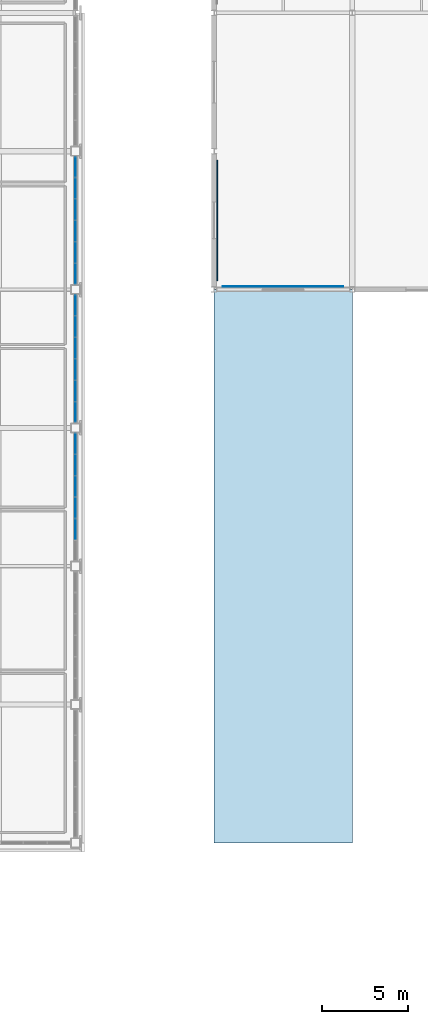
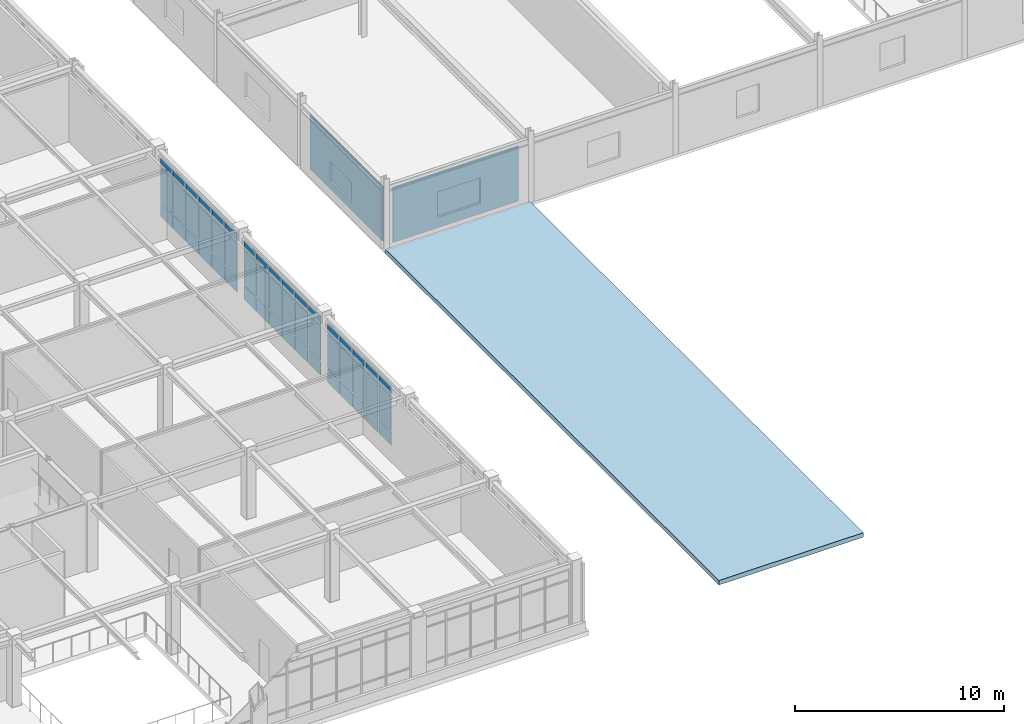
# One storey, part 41 of 88: 53 plates, 1 slab, 3 elements without a shape of their own.
"""IFC4 building model written with IfcOpenShell, lengths in metres."""

from ifc_helpers import new_model, si_unit, direction, frame, origin, origin_2d, place, context, subcontext, project, spatial, polyline, rectangle, outline, extrude, material, layer, layer_set, type_object, element, aggregate, save


model = new_model("IFC4")

# Units and contexts
model_context = context("Model", 3, precision=1e-05, world=origin(), true_north=direction((0.0, 1.0)))
body_context = subcontext(model_context, "Body", "Model", "MODEL_VIEW")
ifc_project = project(units=[si_unit("LENGTHUNIT", "METRE"), si_unit("AREAUNIT", "SQUARE_METRE"), si_unit("VOLUMEUNIT", "CUBIC_METRE"), si_unit("PLANEANGLEUNIT", "RADIAN"), si_unit("MASSUNIT", "GRAM", prefix="KILO")], contexts=[model_context])

# Site, building, storey
site_placement = place(None, origin())
site = spatial("IfcSite", under=ifc_project, at=site_placement, CompositionType="ELEMENT")
building_placement = place(site_placement, origin())
building = spatial("IfcBuilding", under=site, at=building_placement, Name="Zhaolan Boulevard Law Courts", CompositionType="ELEMENT")
storey_placement = place(building_placement, frame((0.0, 0.0, 16.199951171875)))
storey = spatial("IfcBuildingStorey", under=building, at=storey_placement, Name="L03", CompositionType="ELEMENT", Elevation=16.199951171875)

# Curtain wall, plates
ifc_material_1 = material(Name="Thermally broken aluminium and low-E glazing", Category="aluminium")
curtain_wall_type_1 = type_object("IfcCurtainWallType", Name="CURTAIN WALL M13", PredefinedType="USERDEFINED", material=ifc_material_1)
curtain_wall_1_placement = place(storey_placement, origin())
curtain_wall_1 = element("IfcCurtainWall", 1, at=curtain_wall_1_placement, inside=storey, type_object=curtain_wall_type_1, Name="Curtain Wall CW-L03-181", ObjectType="CURTAIN WALL", PredefinedType="USERDEFINED")
ifc_material_2 = material(Name="Triple-silver low-E insulated glazing", Category="glass")
ifc_layer_1 = layer(ifc_material_2, 0.028076171875)
ifc_layer_set_1 = layer_set([ifc_layer_1])
plate_type_1 = type_object("IfcPlateType", Name="CWPANEL LOW E28", PredefinedType="CURTAIN_PANEL", material=ifc_layer_set_1)
plate_1_placement = place(storey_placement, frame((44.0, 48.138427734375, 0.06494140625), z_axis=(0.0, 0.0, 1.0), x_axis=(0.0, 1.0, 0.0)))
plate_1 = element("IfcPlate", 2, at=plate_1_placement, type_object=plate_type_1, Name="CW-L03-181 panel 2.1", PredefinedType="CURTAIN_PANEL", context=body_context, shape_type="SweptSolid", body=[
    extrude(rectangle(XDim=1.176025390625, YDim=0.028076171875, at=origin_2d()), origin(), (0.0, 0.0, 1.0), 0.802490234375),
])
plate_2_placement = place(storey_placement, frame((44.0, 48.138427734375, 0.9326171875), z_axis=(0.0, 0.0, 1.0), x_axis=(0.0, 1.0, 0.0)))
plate_2 = element("IfcPlate", 3, at=plate_2_placement, type_object=plate_type_1, Name="CW-L03-181 panel 2.2", PredefinedType="CURTAIN_PANEL", context=body_context, shape_type="SweptSolid", body=[
    extrude(rectangle(XDim=1.176025390625, YDim=0.028076171875, at=origin_2d()), origin(), (0.0, 0.0, 1.0), 1.97802734375),
])
plate_3_placement = place(storey_placement, frame((44.0, 48.138427734375, 2.9755859375), z_axis=(0.0, 0.0, 1.0), x_axis=(0.0, 1.0, 0.0)))
plate_3 = element("IfcPlate", 4, at=plate_3_placement, type_object=plate_type_1, Name="CW-L03-181 panel 2.3", PredefinedType="CURTAIN_PANEL", context=body_context, shape_type="SweptSolid", body=[
    extrude(rectangle(XDim=1.176025390625, YDim=0.028076171875, at=origin_2d()), origin(), (0.0, 0.0, 1.0), 0.552490234375),
])
plate_4_placement = place(storey_placement, frame((44.0, 49.37939453125, 0.06494140625), z_axis=(0.0, 0.0, 1.0), x_axis=(0.0, 1.0, 0.0)))
plate_4 = element("IfcPlate", 5, at=plate_4_placement, type_object=plate_type_1, Name="CW-L03-181 panel 3.1", PredefinedType="CURTAIN_PANEL", context=body_context, shape_type="SweptSolid", body=[
    extrude(rectangle(XDim=1.176025390625, YDim=0.028076171875, at=origin_2d()), origin(), (0.0, 0.0, 1.0), 0.802490234375),
])
plate_5_placement = place(storey_placement, frame((44.0, 49.37939453125, 0.9326171875), z_axis=(0.0, 0.0, 1.0), x_axis=(0.0, 1.0, 0.0)))
plate_5 = element("IfcPlate", 6, at=plate_5_placement, type_object=plate_type_1, Name="CW-L03-181 panel 3.2", PredefinedType="CURTAIN_PANEL", context=body_context, shape_type="SweptSolid", body=[
    extrude(rectangle(XDim=1.176025390625, YDim=0.028076171875, at=origin_2d()), origin(), (0.0, 0.0, 1.0), 1.97802734375),
])
plate_6_placement = place(storey_placement, frame((44.0, 49.37939453125, 2.9755859375), z_axis=(0.0, 0.0, 1.0), x_axis=(0.0, 1.0, 0.0)))
plate_6 = element("IfcPlate", 7, at=plate_6_placement, type_object=plate_type_1, Name="CW-L03-181 panel 3.3", PredefinedType="CURTAIN_PANEL", context=body_context, shape_type="SweptSolid", body=[
    extrude(rectangle(XDim=1.176025390625, YDim=0.028076171875, at=origin_2d()), origin(), (0.0, 0.0, 1.0), 0.552490234375),
])
plate_7_placement = place(storey_placement, frame((44.0, 50.62060546875, 0.06494140625), z_axis=(0.0, 0.0, 1.0), x_axis=(0.0, 1.0, 0.0)))
plate_7 = element("IfcPlate", 8, at=plate_7_placement, type_object=plate_type_1, Name="CW-L03-181 panel 4.1", PredefinedType="CURTAIN_PANEL", context=body_context, shape_type="SweptSolid", body=[
    extrude(rectangle(XDim=1.176025390625, YDim=0.028076171875, at=origin_2d()), origin(), (0.0, 0.0, 1.0), 0.802490234375),
])
plate_8_placement = place(storey_placement, frame((44.0, 50.62060546875, 0.9326171875), z_axis=(0.0, 0.0, 1.0), x_axis=(0.0, 1.0, 0.0)))
plate_8 = element("IfcPlate", 9, at=plate_8_placement, type_object=plate_type_1, Name="CW-L03-181 panel 4.2", PredefinedType="CURTAIN_PANEL", context=body_context, shape_type="SweptSolid", body=[
    extrude(rectangle(XDim=1.176025390625, YDim=0.028076171875, at=origin_2d()), origin(), (0.0, 0.0, 1.0), 1.97802734375),
])
plate_9_placement = place(storey_placement, frame((44.0, 50.62060546875, 2.9755859375), z_axis=(0.0, 0.0, 1.0), x_axis=(0.0, 1.0, 0.0)))
plate_9 = element("IfcPlate", 10, at=plate_9_placement, type_object=plate_type_1, Name="CW-L03-181 panel 4.3", PredefinedType="CURTAIN_PANEL", context=body_context, shape_type="SweptSolid", body=[
    extrude(rectangle(XDim=1.176025390625, YDim=0.028076171875, at=origin_2d()), origin(), (0.0, 0.0, 1.0), 0.552490234375),
])
plate_10_placement = place(storey_placement, frame((44.0, 51.861572265625, 0.06494140625), z_axis=(0.0, 0.0, 1.0), x_axis=(0.0, 1.0, 0.0)))
plate_10 = element("IfcPlate", 11, at=plate_10_placement, type_object=plate_type_1, Name="CW-L03-181 panel 5.1", PredefinedType="CURTAIN_PANEL", context=body_context, shape_type="SweptSolid", body=[
    extrude(rectangle(XDim=1.176025390625, YDim=0.028076171875, at=origin_2d()), origin(), (0.0, 0.0, 1.0), 0.802490234375),
])
plate_11_placement = place(storey_placement, frame((44.0, 51.861572265625, 0.9326171875), z_axis=(0.0, 0.0, 1.0), x_axis=(0.0, 1.0, 0.0)))
plate_11 = element("IfcPlate", 12, at=plate_11_placement, type_object=plate_type_1, Name="CW-L03-181 panel 5.2", PredefinedType="CURTAIN_PANEL", context=body_context, shape_type="SweptSolid", body=[
    extrude(rectangle(XDim=1.176025390625, YDim=0.028076171875, at=origin_2d()), origin(), (0.0, 0.0, 1.0), 1.97802734375),
])
plate_12_placement = place(storey_placement, frame((44.0, 51.861572265625, 2.9755859375), z_axis=(0.0, 0.0, 1.0), x_axis=(0.0, 1.0, 0.0)))
plate_12 = element("IfcPlate", 13, at=plate_12_placement, type_object=plate_type_1, Name="CW-L03-181 panel 5.3", PredefinedType="CURTAIN_PANEL", context=body_context, shape_type="SweptSolid", body=[
    extrude(rectangle(XDim=1.176025390625, YDim=0.028076171875, at=origin_2d()), origin(), (0.0, 0.0, 1.0), 0.552490234375),
])
plate_13_placement = place(storey_placement, frame((44.0, 53.086181640625, 0.06494140625), z_axis=(0.0, 0.0, 1.0), x_axis=(0.0, 1.0, 0.0)))
plate_13 = element("IfcPlate", 14, at=plate_13_placement, type_object=plate_type_1, Name="CW-L03-181 panel 6.1", PredefinedType="CURTAIN_PANEL", context=body_context, shape_type="SweptSolid", body=[
    extrude(rectangle(XDim=1.1435546875, YDim=0.028076171875, at=origin_2d()), origin(), (0.0, 0.0, 1.0), 0.802490234375),
])
plate_14_placement = place(storey_placement, frame((44.0, 53.086181640625, 0.9326171875), z_axis=(0.0, 0.0, 1.0), x_axis=(0.0, 1.0, 0.0)))
plate_14 = element("IfcPlate", 15, at=plate_14_placement, type_object=plate_type_1, Name="CW-L03-181 panel 6.2", PredefinedType="CURTAIN_PANEL", context=body_context, shape_type="SweptSolid", body=[
    extrude(rectangle(XDim=1.1435546875, YDim=0.028076171875, at=origin_2d()), origin(), (0.0, 0.0, 1.0), 1.97802734375),
])
plate_15_placement = place(storey_placement, frame((44.0, 53.086181640625, 2.9755859375), z_axis=(0.0, 0.0, 1.0), x_axis=(0.0, 1.0, 0.0)))
plate_15 = element("IfcPlate", 16, at=plate_15_placement, type_object=plate_type_1, Name="CW-L03-181 panel 6.3", PredefinedType="CURTAIN_PANEL", context=body_context, shape_type="SweptSolid", body=[
    extrude(rectangle(XDim=1.1435546875, YDim=0.028076171875, at=origin_2d()), origin(), (0.0, 0.0, 1.0), 0.552490234375),
])
aggregate(curtain_wall_1, [plate_1, plate_2, plate_3, plate_4, plate_5, plate_6, plate_7, plate_8, plate_9, plate_10, plate_11, plate_12, plate_13, plate_14, plate_15])

ifc_material_3 = material(Name="Thermally broken aluminium and low-E glazing", Category="aluminium")
curtain_wall_type_2 = type_object("IfcCurtainWallType", Name="CURTAIN WALL M14", PredefinedType="USERDEFINED", material=ifc_material_3)
curtain_wall_2_placement = place(storey_placement, origin())
curtain_wall_2 = element("IfcCurtainWall", 17, at=curtain_wall_2_placement, inside=storey, type_object=curtain_wall_type_2, Name="Curtain Wall CW-L03-182", ObjectType="CURTAIN WALL", PredefinedType="USERDEFINED")
plate_16_placement = place(storey_placement, frame((44.0, 54.913818359375, 0.06494140625), z_axis=(0.0, 0.0, 1.0), x_axis=(0.0, 1.0, 0.0)))
plate_16 = element("IfcPlate", 18, at=plate_16_placement, type_object=plate_type_1, Name="CW-L03-182 panel 1.1", PredefinedType="CURTAIN_PANEL", context=body_context, shape_type="SweptSolid", body=[
    extrude(rectangle(XDim=1.1435546875, YDim=0.028076171875, at=origin_2d()), origin(), (0.0, 0.0, 1.0), 0.802490234375),
])
plate_17_placement = place(storey_placement, frame((44.0, 54.913818359375, 0.9326171875), z_axis=(0.0, 0.0, 1.0), x_axis=(0.0, 1.0, 0.0)))
plate_17 = element("IfcPlate", 19, at=plate_17_placement, type_object=plate_type_1, Name="CW-L03-182 panel 1.2", PredefinedType="CURTAIN_PANEL", context=body_context, shape_type="SweptSolid", body=[
    extrude(rectangle(XDim=1.1435546875, YDim=0.028076171875, at=origin_2d()), origin(), (0.0, 0.0, 1.0), 1.97802734375),
])
plate_18_placement = place(storey_placement, frame((44.0, 54.913818359375, 2.9755859375), z_axis=(0.0, 0.0, 1.0), x_axis=(0.0, 1.0, 0.0)))
plate_18 = element("IfcPlate", 20, at=plate_18_placement, type_object=plate_type_1, Name="CW-L03-182 panel 1.3", PredefinedType="CURTAIN_PANEL", context=body_context, shape_type="SweptSolid", body=[
    extrude(rectangle(XDim=1.1435546875, YDim=0.028076171875, at=origin_2d()), origin(), (0.0, 0.0, 1.0), 0.552490234375),
])
plate_19_placement = place(storey_placement, frame((44.0, 56.138427734375, 0.06494140625), z_axis=(0.0, 0.0, 1.0), x_axis=(0.0, 1.0, 0.0)))
plate_19 = element("IfcPlate", 21, at=plate_19_placement, type_object=plate_type_1, Name="CW-L03-182 panel 2.1", PredefinedType="CURTAIN_PANEL", context=body_context, shape_type="SweptSolid", body=[
    extrude(rectangle(XDim=1.176025390625, YDim=0.028076171875, at=origin_2d()), origin(), (0.0, 0.0, 1.0), 0.802490234375),
])
plate_20_placement = place(storey_placement, frame((44.0, 56.138427734375, 0.9326171875), z_axis=(0.0, 0.0, 1.0), x_axis=(0.0, 1.0, 0.0)))
plate_20 = element("IfcPlate", 22, at=plate_20_placement, type_object=plate_type_1, Name="CW-L03-182 panel 2.2", PredefinedType="CURTAIN_PANEL", context=body_context, shape_type="SweptSolid", body=[
    extrude(rectangle(XDim=1.176025390625, YDim=0.028076171875, at=origin_2d()), origin(), (0.0, 0.0, 1.0), 1.97802734375),
])
plate_21_placement = place(storey_placement, frame((44.0, 56.138427734375, 2.9755859375), z_axis=(0.0, 0.0, 1.0), x_axis=(0.0, 1.0, 0.0)))
plate_21 = element("IfcPlate", 23, at=plate_21_placement, type_object=plate_type_1, Name="CW-L03-182 panel 2.3", PredefinedType="CURTAIN_PANEL", context=body_context, shape_type="SweptSolid", body=[
    extrude(rectangle(XDim=1.176025390625, YDim=0.028076171875, at=origin_2d()), origin(), (0.0, 0.0, 1.0), 0.552490234375),
])
plate_22_placement = place(storey_placement, frame((44.0, 57.37939453125, 0.06494140625), z_axis=(0.0, 0.0, 1.0), x_axis=(0.0, 1.0, 0.0)))
plate_22 = element("IfcPlate", 24, at=plate_22_placement, type_object=plate_type_1, Name="CW-L03-182 panel 3.1", PredefinedType="CURTAIN_PANEL", context=body_context, shape_type="SweptSolid", body=[
    extrude(rectangle(XDim=1.176025390625, YDim=0.028076171875, at=origin_2d()), origin(), (0.0, 0.0, 1.0), 0.802490234375),
])
plate_23_placement = place(storey_placement, frame((44.0, 57.37939453125, 0.9326171875), z_axis=(0.0, 0.0, 1.0), x_axis=(0.0, 1.0, 0.0)))
plate_23 = element("IfcPlate", 25, at=plate_23_placement, type_object=plate_type_1, Name="CW-L03-182 panel 3.2", PredefinedType="CURTAIN_PANEL", context=body_context, shape_type="SweptSolid", body=[
    extrude(rectangle(XDim=1.176025390625, YDim=0.028076171875, at=origin_2d()), origin(), (0.0, 0.0, 1.0), 1.97802734375),
])
plate_24_placement = place(storey_placement, frame((44.0, 57.37939453125, 2.9755859375), z_axis=(0.0, 0.0, 1.0), x_axis=(0.0, 1.0, 0.0)))
plate_24 = element("IfcPlate", 26, at=plate_24_placement, type_object=plate_type_1, Name="CW-L03-182 panel 3.3", PredefinedType="CURTAIN_PANEL", context=body_context, shape_type="SweptSolid", body=[
    extrude(rectangle(XDim=1.176025390625, YDim=0.028076171875, at=origin_2d()), origin(), (0.0, 0.0, 1.0), 0.552490234375),
])
plate_25_placement = place(storey_placement, frame((44.0, 58.62060546875, 0.06494140625), z_axis=(0.0, 0.0, 1.0), x_axis=(0.0, 1.0, 0.0)))
plate_25 = element("IfcPlate", 27, at=plate_25_placement, type_object=plate_type_1, Name="CW-L03-182 panel 4.1", PredefinedType="CURTAIN_PANEL", context=body_context, shape_type="SweptSolid", body=[
    extrude(rectangle(XDim=1.176025390625, YDim=0.028076171875, at=origin_2d()), origin(), (0.0, 0.0, 1.0), 0.802490234375),
])
plate_26_placement = place(storey_placement, frame((44.0, 58.62060546875, 0.9326171875), z_axis=(0.0, 0.0, 1.0), x_axis=(0.0, 1.0, 0.0)))
plate_26 = element("IfcPlate", 28, at=plate_26_placement, type_object=plate_type_1, Name="CW-L03-182 panel 4.2", PredefinedType="CURTAIN_PANEL", context=body_context, shape_type="SweptSolid", body=[
    extrude(rectangle(XDim=1.176025390625, YDim=0.028076171875, at=origin_2d()), origin(), (0.0, 0.0, 1.0), 1.97802734375),
])
plate_27_placement = place(storey_placement, frame((44.0, 58.62060546875, 2.9755859375), z_axis=(0.0, 0.0, 1.0), x_axis=(0.0, 1.0, 0.0)))
plate_27 = element("IfcPlate", 29, at=plate_27_placement, type_object=plate_type_1, Name="CW-L03-182 panel 4.3", PredefinedType="CURTAIN_PANEL", context=body_context, shape_type="SweptSolid", body=[
    extrude(rectangle(XDim=1.176025390625, YDim=0.028076171875, at=origin_2d()), origin(), (0.0, 0.0, 1.0), 0.552490234375),
])
plate_28_placement = place(storey_placement, frame((44.0, 59.861572265625, 0.06494140625), z_axis=(0.0, 0.0, 1.0), x_axis=(0.0, 1.0, 0.0)))
plate_28 = element("IfcPlate", 30, at=plate_28_placement, type_object=plate_type_1, Name="CW-L03-182 panel 5.1", PredefinedType="CURTAIN_PANEL", context=body_context, shape_type="SweptSolid", body=[
    extrude(rectangle(XDim=1.176025390625, YDim=0.028076171875, at=origin_2d()), origin(), (0.0, 0.0, 1.0), 0.802490234375),
])
plate_29_placement = place(storey_placement, frame((44.0, 59.861572265625, 0.9326171875), z_axis=(0.0, 0.0, 1.0), x_axis=(0.0, 1.0, 0.0)))
plate_29 = element("IfcPlate", 31, at=plate_29_placement, type_object=plate_type_1, Name="CW-L03-182 panel 5.2", PredefinedType="CURTAIN_PANEL", context=body_context, shape_type="SweptSolid", body=[
    extrude(rectangle(XDim=1.176025390625, YDim=0.028076171875, at=origin_2d()), origin(), (0.0, 0.0, 1.0), 1.97802734375),
])
plate_30_placement = place(storey_placement, frame((44.0, 59.861572265625, 2.9755859375), z_axis=(0.0, 0.0, 1.0), x_axis=(0.0, 1.0, 0.0)))
plate_30 = element("IfcPlate", 32, at=plate_30_placement, type_object=plate_type_1, Name="CW-L03-182 panel 5.3", PredefinedType="CURTAIN_PANEL", context=body_context, shape_type="SweptSolid", body=[
    extrude(rectangle(XDim=1.176025390625, YDim=0.028076171875, at=origin_2d()), origin(), (0.0, 0.0, 1.0), 0.552490234375),
])
plate_31_placement = place(storey_placement, frame((44.0, 61.086181640625, 0.06494140625), z_axis=(0.0, 0.0, 1.0), x_axis=(0.0, 1.0, 0.0)))
plate_31 = element("IfcPlate", 33, at=plate_31_placement, type_object=plate_type_1, Name="CW-L03-182 panel 6.1", PredefinedType="CURTAIN_PANEL", context=body_context, shape_type="SweptSolid", body=[
    extrude(rectangle(XDim=1.1435546875, YDim=0.028076171875, at=origin_2d()), origin(), (0.0, 0.0, 1.0), 0.802490234375),
])
plate_32_placement = place(storey_placement, frame((44.0, 61.086181640625, 0.9326171875), z_axis=(0.0, 0.0, 1.0), x_axis=(0.0, 1.0, 0.0)))
plate_32 = element("IfcPlate", 34, at=plate_32_placement, type_object=plate_type_1, Name="CW-L03-182 panel 6.2", PredefinedType="CURTAIN_PANEL", context=body_context, shape_type="SweptSolid", body=[
    extrude(rectangle(XDim=1.1435546875, YDim=0.028076171875, at=origin_2d()), origin(), (0.0, 0.0, 1.0), 1.97802734375),
])
plate_33_placement = place(storey_placement, frame((44.0, 61.086181640625, 2.9755859375), z_axis=(0.0, 0.0, 1.0), x_axis=(0.0, 1.0, 0.0)))
plate_33 = element("IfcPlate", 35, at=plate_33_placement, type_object=plate_type_1, Name="CW-L03-182 panel 6.3", PredefinedType="CURTAIN_PANEL", context=body_context, shape_type="SweptSolid", body=[
    extrude(rectangle(XDim=1.1435546875, YDim=0.028076171875, at=origin_2d()), origin(), (0.0, 0.0, 1.0), 0.552490234375),
])
aggregate(curtain_wall_2, [plate_16, plate_17, plate_18, plate_19, plate_20, plate_21, plate_22, plate_23, plate_24, plate_25, plate_26, plate_27, plate_28, plate_29, plate_30, plate_31, plate_32, plate_33])

ifc_material_4 = material(Name="Thermally broken aluminium and low-E glazing", Category="aluminium")
curtain_wall_type_3 = type_object("IfcCurtainWallType", Name="CURTAIN WALL M15", PredefinedType="USERDEFINED", material=ifc_material_4)
curtain_wall_3_placement = place(storey_placement, origin())
curtain_wall_3 = element("IfcCurtainWall", 36, at=curtain_wall_3_placement, inside=storey, type_object=curtain_wall_type_3, Name="Curtain Wall CW-L03-183", ObjectType="CURTAIN WALL", PredefinedType="USERDEFINED")
plate_34_placement = place(storey_placement, frame((44.0, 62.913818359375, 0.06494140625), z_axis=(0.0, 0.0, 1.0), x_axis=(0.0, 1.0, 0.0)))
plate_34 = element("IfcPlate", 37, at=plate_34_placement, type_object=plate_type_1, Name="CW-L03-183 panel 1.1", PredefinedType="CURTAIN_PANEL", context=body_context, shape_type="SweptSolid", body=[
    extrude(rectangle(XDim=1.1435546875, YDim=0.028076171875, at=origin_2d()), origin(), (0.0, 0.0, 1.0), 0.802490234375),
])
plate_35_placement = place(storey_placement, frame((44.0, 62.913818359375, 0.9326171875), z_axis=(0.0, 0.0, 1.0), x_axis=(0.0, 1.0, 0.0)))
plate_35 = element("IfcPlate", 38, at=plate_35_placement, type_object=plate_type_1, Name="CW-L03-183 panel 1.2", PredefinedType="CURTAIN_PANEL", context=body_context, shape_type="SweptSolid", body=[
    extrude(rectangle(XDim=1.1435546875, YDim=0.028076171875, at=origin_2d()), origin(), (0.0, 0.0, 1.0), 1.97802734375),
])
plate_36_placement = place(storey_placement, frame((44.0, 62.913818359375, 2.9755859375), z_axis=(0.0, 0.0, 1.0), x_axis=(0.0, 1.0, 0.0)))
plate_36 = element("IfcPlate", 39, at=plate_36_placement, type_object=plate_type_1, Name="CW-L03-183 panel 1.3", PredefinedType="CURTAIN_PANEL", context=body_context, shape_type="SweptSolid", body=[
    extrude(rectangle(XDim=1.1435546875, YDim=0.028076171875, at=origin_2d()), origin(), (0.0, 0.0, 1.0), 0.552490234375),
])
plate_37_placement = place(storey_placement, frame((44.0, 64.138427734375, 0.06494140625), z_axis=(0.0, 0.0, 1.0), x_axis=(0.0, 1.0, 0.0)))
plate_37 = element("IfcPlate", 40, at=plate_37_placement, type_object=plate_type_1, Name="CW-L03-183 panel 2.1", PredefinedType="CURTAIN_PANEL", context=body_context, shape_type="SweptSolid", body=[
    extrude(rectangle(XDim=1.176025390625, YDim=0.028076171875, at=origin_2d()), origin(), (0.0, 0.0, 1.0), 0.802490234375),
])
plate_38_placement = place(storey_placement, frame((44.0, 64.138427734375, 0.9326171875), z_axis=(0.0, 0.0, 1.0), x_axis=(0.0, 1.0, 0.0)))
plate_38 = element("IfcPlate", 41, at=plate_38_placement, type_object=plate_type_1, Name="CW-L03-183 panel 2.2", PredefinedType="CURTAIN_PANEL", context=body_context, shape_type="SweptSolid", body=[
    extrude(rectangle(XDim=1.176025390625, YDim=0.028076171875, at=origin_2d()), origin(), (0.0, 0.0, 1.0), 1.97802734375),
])
plate_39_placement = place(storey_placement, frame((44.0, 64.138427734375, 2.9755859375), z_axis=(0.0, 0.0, 1.0), x_axis=(0.0, 1.0, 0.0)))
plate_39 = element("IfcPlate", 42, at=plate_39_placement, type_object=plate_type_1, Name="CW-L03-183 panel 2.3", PredefinedType="CURTAIN_PANEL", context=body_context, shape_type="SweptSolid", body=[
    extrude(rectangle(XDim=1.176025390625, YDim=0.028076171875, at=origin_2d()), origin(), (0.0, 0.0, 1.0), 0.552490234375),
])
plate_40_placement = place(storey_placement, frame((44.0, 65.37939453125, 0.06494140625), z_axis=(0.0, 0.0, 1.0), x_axis=(0.0, 1.0, 0.0)))
plate_40 = element("IfcPlate", 43, at=plate_40_placement, type_object=plate_type_1, Name="CW-L03-183 panel 3.1", PredefinedType="CURTAIN_PANEL", context=body_context, shape_type="SweptSolid", body=[
    extrude(rectangle(XDim=1.176025390625, YDim=0.028076171875, at=origin_2d()), origin(), (0.0, 0.0, 1.0), 0.802490234375),
])
plate_41_placement = place(storey_placement, frame((44.0, 65.37939453125, 0.9326171875), z_axis=(0.0, 0.0, 1.0), x_axis=(0.0, 1.0, 0.0)))
plate_41 = element("IfcPlate", 44, at=plate_41_placement, type_object=plate_type_1, Name="CW-L03-183 panel 3.2", PredefinedType="CURTAIN_PANEL", context=body_context, shape_type="SweptSolid", body=[
    extrude(rectangle(XDim=1.176025390625, YDim=0.028076171875, at=origin_2d()), origin(), (0.0, 0.0, 1.0), 1.97802734375),
])
plate_42_placement = place(storey_placement, frame((44.0, 65.37939453125, 2.9755859375), z_axis=(0.0, 0.0, 1.0), x_axis=(0.0, 1.0, 0.0)))
plate_42 = element("IfcPlate", 45, at=plate_42_placement, type_object=plate_type_1, Name="CW-L03-183 panel 3.3", PredefinedType="CURTAIN_PANEL", context=body_context, shape_type="SweptSolid", body=[
    extrude(rectangle(XDim=1.176025390625, YDim=0.028076171875, at=origin_2d()), origin(), (0.0, 0.0, 1.0), 0.552490234375),
])
plate_43_placement = place(storey_placement, frame((44.0, 66.62060546875, 0.06494140625), z_axis=(0.0, 0.0, 1.0), x_axis=(0.0, 1.0, 0.0)))
plate_43 = element("IfcPlate", 46, at=plate_43_placement, type_object=plate_type_1, Name="CW-L03-183 panel 4.1", PredefinedType="CURTAIN_PANEL", context=body_context, shape_type="SweptSolid", body=[
    extrude(rectangle(XDim=1.176025390625, YDim=0.028076171875, at=origin_2d()), origin(), (0.0, 0.0, 1.0), 0.802490234375),
])
plate_44_placement = place(storey_placement, frame((44.0, 66.62060546875, 0.9326171875), z_axis=(0.0, 0.0, 1.0), x_axis=(0.0, 1.0, 0.0)))
plate_44 = element("IfcPlate", 47, at=plate_44_placement, type_object=plate_type_1, Name="CW-L03-183 panel 4.2", PredefinedType="CURTAIN_PANEL", context=body_context, shape_type="SweptSolid", body=[
    extrude(rectangle(XDim=1.176025390625, YDim=0.028076171875, at=origin_2d()), origin(), (0.0, 0.0, 1.0), 1.97802734375),
])
plate_45_placement = place(storey_placement, frame((44.0, 66.62060546875, 2.9755859375), z_axis=(0.0, 0.0, 1.0), x_axis=(0.0, 1.0, 0.0)))
plate_45 = element("IfcPlate", 48, at=plate_45_placement, type_object=plate_type_1, Name="CW-L03-183 panel 4.3", PredefinedType="CURTAIN_PANEL", context=body_context, shape_type="SweptSolid", body=[
    extrude(rectangle(XDim=1.176025390625, YDim=0.028076171875, at=origin_2d()), origin(), (0.0, 0.0, 1.0), 0.552490234375),
])
plate_46_placement = place(storey_placement, frame((44.0, 67.861572265625, 0.06494140625), z_axis=(0.0, 0.0, 1.0), x_axis=(0.0, 1.0, 0.0)))
plate_46 = element("IfcPlate", 49, at=plate_46_placement, type_object=plate_type_1, Name="CW-L03-183 panel 5.1", PredefinedType="CURTAIN_PANEL", context=body_context, shape_type="SweptSolid", body=[
    extrude(rectangle(XDim=1.176025390625, YDim=0.028076171875, at=origin_2d()), origin(), (0.0, 0.0, 1.0), 0.802490234375),
])
plate_47_placement = place(storey_placement, frame((44.0, 67.861572265625, 0.9326171875), z_axis=(0.0, 0.0, 1.0), x_axis=(0.0, 1.0, 0.0)))
plate_47 = element("IfcPlate", 50, at=plate_47_placement, type_object=plate_type_1, Name="CW-L03-183 panel 5.2", PredefinedType="CURTAIN_PANEL", context=body_context, shape_type="SweptSolid", body=[
    extrude(rectangle(XDim=1.176025390625, YDim=0.028076171875, at=origin_2d()), origin(), (0.0, 0.0, 1.0), 1.97802734375),
])
plate_48_placement = place(storey_placement, frame((44.0, 67.861572265625, 2.9755859375), z_axis=(0.0, 0.0, 1.0), x_axis=(0.0, 1.0, 0.0)))
plate_48 = element("IfcPlate", 51, at=plate_48_placement, type_object=plate_type_1, Name="CW-L03-183 panel 5.3", PredefinedType="CURTAIN_PANEL", context=body_context, shape_type="SweptSolid", body=[
    extrude(rectangle(XDim=1.176025390625, YDim=0.028076171875, at=origin_2d()), origin(), (0.0, 0.0, 1.0), 0.552490234375),
])
plate_49_placement = place(storey_placement, frame((44.0, 69.086181640625, 0.06494140625), z_axis=(0.0, 0.0, 1.0), x_axis=(0.0, 1.0, 0.0)))
plate_49 = element("IfcPlate", 52, at=plate_49_placement, type_object=plate_type_1, Name="CW-L03-183 panel 6.1", PredefinedType="CURTAIN_PANEL", context=body_context, shape_type="SweptSolid", body=[
    extrude(rectangle(XDim=1.1435546875, YDim=0.028076171875, at=origin_2d()), origin(), (0.0, 0.0, 1.0), 0.802490234375),
])
plate_50_placement = place(storey_placement, frame((44.0, 69.086181640625, 0.9326171875), z_axis=(0.0, 0.0, 1.0), x_axis=(0.0, 1.0, 0.0)))
plate_50 = element("IfcPlate", 53, at=plate_50_placement, type_object=plate_type_1, Name="CW-L03-183 panel 6.2", PredefinedType="CURTAIN_PANEL", context=body_context, shape_type="SweptSolid", body=[
    extrude(rectangle(XDim=1.1435546875, YDim=0.028076171875, at=origin_2d()), origin(), (0.0, 0.0, 1.0), 1.97802734375),
])
plate_51_placement = place(storey_placement, frame((44.0, 69.086181640625, 2.9755859375), z_axis=(0.0, 0.0, 1.0), x_axis=(0.0, 1.0, 0.0)))
plate_51 = element("IfcPlate", 54, at=plate_51_placement, type_object=plate_type_1, Name="CW-L03-183 panel 6.3", PredefinedType="CURTAIN_PANEL", context=body_context, shape_type="SweptSolid", body=[
    extrude(rectangle(XDim=1.1435546875, YDim=0.028076171875, at=origin_2d()), origin(), (0.0, 0.0, 1.0), 0.552490234375),
])
aggregate(curtain_wall_3, [plate_34, plate_35, plate_36, plate_37, plate_38, plate_39, plate_40, plate_41, plate_42, plate_43, plate_44, plate_45, plate_46, plate_47, plate_48, plate_49, plate_50, plate_51])

# Slab
ifc_material_5 = material(Name="Concrete C40", Category="concrete")
ifc_layer_2 = layer(ifc_material_5, 0.260009765625)
ifc_layer_set_2 = layer_set([ifc_layer_2])
slab_type = type_object("IfcSlabType", Name="FLAT ROOF SLAB 260", PredefinedType="ROOF", material=ifc_layer_set_2)
slab_placement = place(storey_placement, frame((0.0, 0.0, -0.260009765625)))
element("IfcSlab", 55, at=slab_placement, inside=storey, type_object=slab_type, Name="Slab SLB-L03-BR1RF", PredefinedType="ROOF", context=body_context, shape_type="SweptSolid", body=[
    extrude(outline(polyline([(52.0, 30.0), (60.0, 30.0), (60.0, 62.0), (52.0, 62.0), (52.0, 30.0)])), origin(), (0.0, 0.0, 1.0), 0.260009765625),
])

# Plates
ifc_material_6 = material(Name="Pale mist-grey standing-seam Al-Mg-Mn zinc-titanium")
ifc_layer_3 = layer(ifc_material_6, 0.0400390625)
ifc_layer_set_3 = layer_set([ifc_layer_3])
plate_type_2 = type_object("IfcPlateType", Name="STANDING SEAM PLATE 40", PredefinedType="SHEET", material=ifc_layer_set_3)
plate_52_placement = place(storey_placement, frame((56.0, 62.169921875, 0.1005859375), z_axis=(0.0, 0.0, 1.0), x_axis=(1.0, 0.0, 0.0)))
element("IfcPlate", 56, at=plate_52_placement, inside=storey, type_object=plate_type_2, Name="Standing-Seam Metal Wall Cladding SSP-L03-270", PredefinedType="SHEET", context=body_context, shape_type="SweptSolid", body=[
    extrude(rectangle(XDim=6.9599609375, YDim=0.0400390625, at=origin_2d()), origin(), (0.0, 0.0, 1.0), 3.222900390625),
])
ifc_material_7 = material(Name="Pale mist-grey standing-seam Al-Mg-Mn zinc-titanium")
ifc_layer_4 = layer(ifc_material_7, 0.06005859375)
ifc_layer_set_4 = layer_set([ifc_layer_4])
plate_type_3 = type_object("IfcPlateType", Name="STANDING SEAM PLATE 60", PredefinedType="SHEET", material=ifc_layer_set_4)
plate_53_placement = place(storey_placement, frame((52.179931640625, 66.0, 0.1005859375), z_axis=(0.0, 0.0, 1.0), x_axis=(0.0, -1.0, 0.0)))
element("IfcPlate", 57, at=plate_53_placement, inside=storey, type_object=plate_type_3, Name="Standing-Seam Metal Wall Cladding SSP-L03-298", PredefinedType="SHEET", context=body_context, shape_type="SweptSolid", body=[
    extrude(rectangle(XDim=6.9599609375, YDim=0.06005859375, at=origin_2d()), origin(), (0.0, 0.0, 1.0), 3.18310546875),
])

save(model, "model.ifc")
